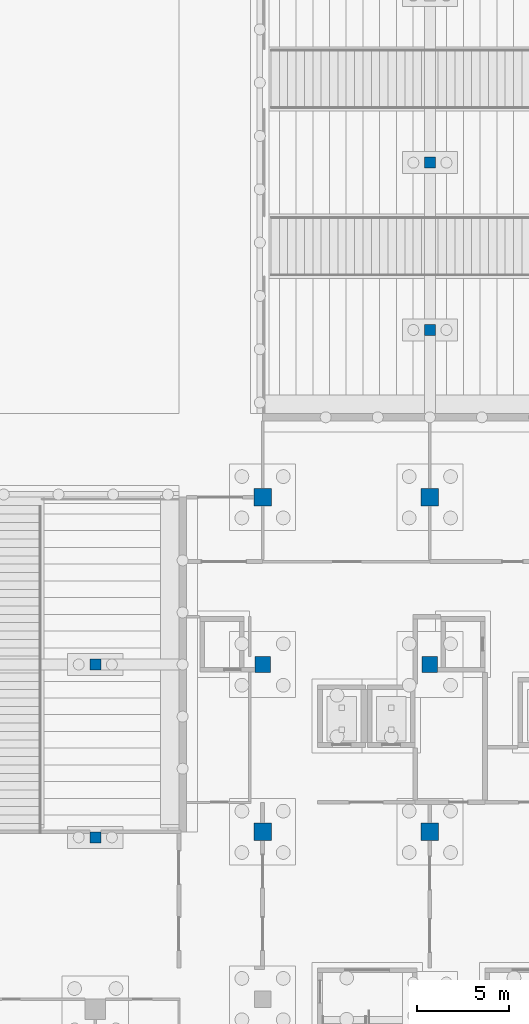
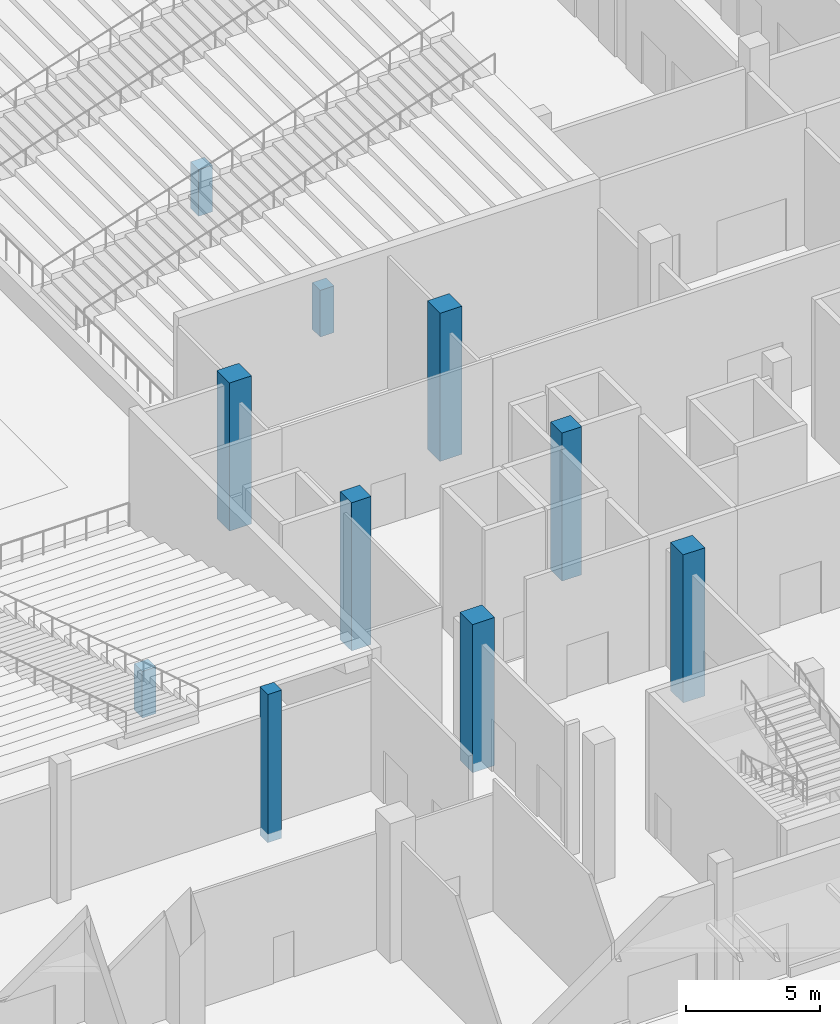
# One storey, part 21 of 129: 10 columns.
"""IFC4 building model written with IfcOpenShell, lengths in metres."""

import ifcopenshell
import ifcopenshell.guid

model = None  # the IFC model being written
_history = None  # IfcOwnerHistory: only IFC2X3 demands one
_inside = {}  # id of a spatial element -> (the spatial element, [elements in it])
_under = {}  # id of a project, library or spatial element -> (it, [spatial elements below it])
_declared = {}  # id of a project -> (the project, [libraries it declares])
_typed = {}  # id of a type object -> (the type object, [elements of that type])
_made_of = {}  # id of a material, layer set ... -> (it, [elements and type objects made of it])


def new_model(schema):
    """Start an empty IFC model of exactly this schema.

    Asked for "IFC4X3", IfcOpenShell would pick the latest addendum, in which some entities
    have other attributes; the version numbers below select the first issue.
    IFC2X3 requires an IfcOwnerHistory on every rooted entity: one is made here for all.
    """
    global model, _history
    if schema == "IFC4X3":
        model = ifcopenshell.file(schema_version=(4, 3, 0, 0))
    else:
        model = ifcopenshell.file(schema=schema)
    _inside.clear()
    _under.clear()
    _declared.clear()
    _typed.clear()
    _made_of.clear()
    _history = None
    if model.schema == "IFC2X3":
        org = make("IfcOrganization", Name="unknown")
        user = make(
            "IfcPersonAndOrganization",
            ThePerson=make("IfcPerson", FamilyName="unknown"),
            TheOrganization=org,
        )
        app = make(
            "IfcApplication",
            ApplicationDeveloper=org,
            Version="unknown",
            ApplicationFullName="unknown",
            ApplicationIdentifier="unknown",
        )
        _history = make(
            "IfcOwnerHistory",
            OwningUser=user,
            OwningApplication=app,
            ChangeAction="ADDED",
            CreationDate=0,
        )
    return model


def make(cls, **values):
    """One entity of the class cls with the attributes given. An attribute that is None is left unset."""
    return model.create_entity(
        cls, **{name: value for name, value in values.items() if value is not None}
    )


def rooted(cls, **values):
    """An entity with a GlobalId (a new one), such as an element, a storey or a relation."""
    return make(cls, GlobalId=ifcopenshell.guid.new(), OwnerHistory=_history, **values)


def si_unit(unit_type, name, prefix=None):
    """IfcSIUnit, for example si_unit("LENGTHUNIT", "METRE", prefix="MILLI")."""
    return make("IfcSIUnit", UnitType=unit_type, Prefix=prefix, Name=name)


def assignment(units):
    """IfcUnitAssignment: the units of a project."""
    return None if units is None else make("IfcUnitAssignment", Units=units)


def point(xyz):
    """IfcCartesianPoint."""
    return None if xyz is None else make("IfcCartesianPoint", Coordinates=xyz)


def direction(xyz):
    """IfcDirection."""
    return None if xyz is None else make("IfcDirection", DirectionRatios=xyz)


def frame(location, z_axis=None, x_axis=None):
    """IfcAxis2Placement3D, a coordinate frame: its origin and axes. An axis left out is left unset."""
    return make(
        "IfcAxis2Placement3D",
        Location=point(location),
        Axis=direction(z_axis),
        RefDirection=direction(x_axis),
    )


def frame_2d(location, x_axis=None):
    """IfcAxis2Placement2D, a coordinate frame in the plane: its origin and x axis."""
    return make(
        "IfcAxis2Placement2D", Location=point(location), RefDirection=direction(x_axis)
    )


def origin():
    """The frame at (0, 0, 0) with its axes left unset."""
    return frame((0.0, 0.0, 0.0))


def origin_2d():
    """The frame at (0, 0) in the plane with its x axis left unset."""
    return frame_2d((0.0, 0.0))


def place(relative_to, where):
    """IfcLocalPlacement: puts the frame where relative to a parent placement (None: the world)."""
    return make(
        "IfcLocalPlacement", PlacementRelTo=relative_to, RelativePlacement=where
    )


def context(
    kind, dimensions, precision=None, world=None, true_north=None, identifier=None
):
    """IfcGeometricRepresentationContext, for example the 3D "Model" context."""
    return make(
        "IfcGeometricRepresentationContext",
        ContextIdentifier=identifier,
        ContextType=kind,
        CoordinateSpaceDimension=dimensions,
        Precision=precision,
        WorldCoordinateSystem=world,
        TrueNorth=true_north,
    )


def subcontext(parent, identifier, kind, view, scale=None):
    """IfcGeometricRepresentationSubContext, for example "Body" below "Model"."""
    return make(
        "IfcGeometricRepresentationSubContext",
        ContextIdentifier=identifier,
        ContextType=kind,
        ParentContext=parent,
        TargetScale=scale,
        TargetView=view,
    )


def project(units=None, contexts=None):
    """IfcProject with its units and contexts."""
    return rooted(
        "IfcProject",
        Name="project",
        RepresentationContexts=contexts,
        UnitsInContext=assignment(units),
    )


def spatial(cls, under=None, at=None, **own):
    """A site, building, storey or space (cls), placed at a placement, below another one or the project."""
    s = rooted(cls, ObjectPlacement=at, **own)
    if under is not None:
        _under.setdefault(under.id(), (under, []))[1].append(s)
    return s


def profile(cls, at=None, kind="AREA", **sizes):
    """A parametric profile (cls). Its sizes go by their IFC names, for example OverallWidth=200.0."""
    return make(cls, ProfileType=kind, Position=at, **sizes)


def rectangle(**sizes):
    """IfcRectangleProfileDef."""
    return profile("IfcRectangleProfileDef", **sizes)


def extrude(swept, where, along, depth):
    """IfcExtrudedAreaSolid: the profile swept, set in the frame where, extruded along a direction by depth."""
    return make(
        "IfcExtrudedAreaSolid",
        SweptArea=swept,
        Position=where,
        ExtrudedDirection=direction(along),
        Depth=depth,
    )


def shape(context_of_items, identifier, shape_type, items):
    """IfcShapeRepresentation: the items that make up one representation, for example the "Body"."""
    return make(
        "IfcShapeRepresentation",
        ContextOfItems=context_of_items,
        RepresentationIdentifier=identifier,
        RepresentationType=shape_type,
        Items=items,
    )


def material(Name=None, Category=None):
    """IfcMaterial."""
    return make("IfcMaterial", Name=Name, Category=Category)


def material_profile(
    of_material, cross_section, Name=None, Category=None, Priority=None
):
    """IfcMaterialProfile: a cross section and its material."""
    return make(
        "IfcMaterialProfile",
        Name=Name,
        Material=of_material,
        Profile=cross_section,
        Priority=Priority,
        Category=Category,
    )


def profile_set(profiles, Name=None, composite=None):
    """IfcMaterialProfileSet."""
    return make(
        "IfcMaterialProfileSet",
        Name=Name,
        MaterialProfiles=profiles,
        CompositeProfile=composite,
    )


def made_of(thing, what):
    """Note that an element or type object is made of a material, layer set ...; save() writes the relation."""
    if what is not None:
        _made_of.setdefault(what.id(), (what, []))[1].append(thing)
    return thing


def type_object(cls, material=None, **own):
    """A type object (cls), such as IfcWallType, which elements share."""
    return made_of(rooted(cls, **own), material)


def element(
    cls,
    number,
    at=None,
    inside=None,
    cuts=None,
    type_object=None,
    material=None,
    context=None,
    identifier="Body",
    shape_type=None,
    held_by="IfcProductDefinitionShape",
    body=None,
    shapes=None,
    **own,
):
    """One element of the class cls, such as IfcWall. Its Tag is "e" and its number.

    at: its placement. inside: the storey or other place that contains it. cuts: it is an
    opening in that element (IfcRelVoidsElement). A single representation is given by context,
    identifier, shape_type and body (its items); several are given by shapes. held_by: the class
    of the entity that holds the representations. save() writes the other relations.
    """
    e = rooted(cls, Tag="e%d" % number, ObjectPlacement=at, **own)
    if body is not None:
        shapes = [shape(context, identifier, shape_type, body)]
    if shapes is not None:
        e.Representation = make(held_by, Representations=shapes)
    if inside is not None:
        _inside.setdefault(inside.id(), (inside, []))[1].append(e)
    if cuts is not None:
        rooted(
            "IfcRelVoidsElement", RelatingBuildingElement=cuts, RelatedOpeningElement=e
        )
    if type_object is not None:
        _typed.setdefault(type_object.id(), (type_object, []))[1].append(e)
    return made_of(e, material)


def aggregate(whole, parts):
    """IfcRelAggregates: a whole, such as a stair, and the parts it consists of."""
    return rooted("IfcRelAggregates", RelatingObject=whole, RelatedObjects=parts)


def save(model, path):
    """Write the relations noted so far, then the file.

    IfcRelAggregates (storeys below a building ...), IfcRelContainedInSpatialStructure (elements
    in a storey), IfcRelDefinesByType, IfcRelAssociatesMaterial and IfcRelDeclares: one each for
    every whole, place, type object, material and project.
    """
    for whole, parts in _under.values():
        aggregate(whole, parts)
    for where, things in _inside.values():
        rooted(
            "IfcRelContainedInSpatialStructure",
            RelatedElements=things,
            RelatingStructure=where,
        )
    for kind, things in _typed.values():
        rooted("IfcRelDefinesByType", RelatedObjects=things, RelatingType=kind)
    for what, things in _made_of.values():
        rooted("IfcRelAssociatesMaterial", RelatedObjects=things, RelatingMaterial=what)
    for by, libraries in _declared.values():
        rooted("IfcRelDeclares", RelatingContext=by, RelatedDefinitions=libraries)
    model.write(path)


model = new_model("IFC4")

# Units and contexts
model_context = context("Model", 3, precision=1e-05, world=origin(), true_north=direction((0.0, 1.0)))
body_context = subcontext(model_context, "Body", "Model", "MODEL_VIEW")
ifc_project = project(units=[si_unit("LENGTHUNIT", "METRE"), si_unit("AREAUNIT", "SQUARE_METRE"), si_unit("VOLUMEUNIT", "CUBIC_METRE"), si_unit("PLANEANGLEUNIT", "RADIAN"), si_unit("MASSUNIT", "GRAM", prefix="KILO")], contexts=[model_context])

# Site, building, storey
site_placement = place(None, origin())
site = spatial("IfcSite", under=ifc_project, at=site_placement, CompositionType="ELEMENT")
building_placement = place(site_placement, origin())
building = spatial("IfcBuilding", under=site, at=building_placement, Name="Shirokan Park Arena", CompositionType="ELEMENT")
storey_placement = place(building_placement, origin())
storey = spatial("IfcBuildingStorey", under=building, at=storey_placement, Name="L00", CompositionType="ELEMENT", Elevation=0.0)

# Columns
ifc_material = material(Name="Concrete C35", Category="concrete")
ifc_material_profile_1 = material_profile(ifc_material, rectangle(XDim=0.60009765625, YDim=0.60009765625, at=origin_2d()), Name="600x600")
ifc_profile_set_1 = profile_set([ifc_material_profile_1], Name="Concrete C35")
column_type_1 = type_object("IfcColumnType", Name="RC column 600x600", PredefinedType="COLUMN", material=ifc_profile_set_1)
column_placement = place(storey_placement, frame((100.10009765625, 17.89990234375, -0.39990234375), z_axis=(0.0, 0.0, 1.0), x_axis=(1.0, 0.0, 0.0)))
element("IfcColumn", 1, at=column_placement, inside=storey, type_object=column_type_1, Name="Column 12C L00", PredefinedType="COLUMN", context=body_context, shape_type="SweptSolid", body=[
    extrude(rectangle(XDim=0.60009765625, YDim=0.60009765625, at=origin_2d()), origin(), (0.0, 0.0, 1.0), 6.77001953125),
])
for number, where, z_axis, x_axis, name in (
    (2, (100.10009765625, 27.300048828125, -0.39990234375), (0.0, 0.0, 1.0), (1.0, 0.0, 0.0), "Column 12D L00"),
    (3, (118.300048828125, 45.5, -0.39990234375), (0.0, 0.0, 1.0), (1.0, 0.0, 0.0), "Column 14F L00"),
    (4, (118.300048828125, 54.60009765625, -0.39990234375), (0.0, 0.0, 1.0), (1.0, 0.0, 0.0), "Column 14G L00"),
):
    element("IfcColumn", number, at=place(storey_placement, frame(where, z_axis=z_axis, x_axis=x_axis)), inside=storey, type_object=column_type_1, Name=name, PredefinedType="COLUMN", context=body_context, shape_type="SweptSolid", body=[
        extrude(rectangle(XDim=0.60009765625, YDim=0.60009765625, at=origin_2d()), origin(), (0.0, 0.0, 1.0), 2.1328125),
    ])
ifc_material_profile_2 = material_profile(ifc_material, rectangle(XDim=0.85009765625, YDim=0.85009765625, at=origin_2d()), Name="850x850")
ifc_profile_set_2 = profile_set([ifc_material_profile_2], Name="Concrete C35")
column_type_2 = type_object("IfcColumnType", Name="RC column 850x850", PredefinedType="COLUMN", material=ifc_profile_set_2)
for number, where, z_axis, x_axis, name in (
    (5, (109.199951171875, 27.300048828125, -0.39990234375), (0.0, 0.0, 1.0), (1.0, 0.0, 0.0), "Column 13D L00"),
    (6, (118.300048828125, 27.300048828125, -0.39990234375), (0.0, 0.0, 1.0), (1.0, 0.0, 0.0), "Column 14D L00"),
):
    element("IfcColumn", number, at=place(storey_placement, frame(where, z_axis=z_axis, x_axis=x_axis)), inside=storey, type_object=column_type_2, Name=name, PredefinedType="COLUMN", context=body_context, shape_type="SweptSolid", body=[
        extrude(rectangle(XDim=0.85009765625, YDim=0.85009765625, at=origin_2d()), origin(), (0.0, 0.0, 1.0), 6.77001953125),
    ])
ifc_material_profile_3 = material_profile(ifc_material, rectangle(XDim=0.949951171875, YDim=0.949951171875, at=origin_2d()), Name="950x950")
ifc_profile_set_3 = profile_set([ifc_material_profile_3], Name="Concrete C35")
column_type_3 = type_object("IfcColumnType", Name="RC column 950x950", PredefinedType="COLUMN", material=ifc_profile_set_3)
for number, where, z_axis, x_axis, name in (
    (7, (109.199951171875, 18.199951171875, -0.39990234375), (0.0, 0.0, 1.0), (1.0, 0.0, 0.0), "Column 13C L00"),
    (8, (109.199951171875, 36.39990234375, -0.39990234375), (0.0, 0.0, 1.0), (1.0, 0.0, 0.0), "Column 13E L00"),
    (9, (118.300048828125, 18.199951171875, -0.39990234375), (0.0, 0.0, 1.0), (1.0, 0.0, 0.0), "Column 14C L00"),
    (10, (118.300048828125, 36.39990234375, -0.39990234375), (0.0, 0.0, 1.0), (1.0, 0.0, 0.0), "Column 14E L00"),
):
    element("IfcColumn", number, at=place(storey_placement, frame(where, z_axis=z_axis, x_axis=x_axis)), inside=storey, type_object=column_type_3, Name=name, PredefinedType="COLUMN", context=body_context, shape_type="SweptSolid", body=[
        extrude(rectangle(XDim=0.949951171875, YDim=0.949951171875, at=origin_2d()), origin(), (0.0, 0.0, 1.0), 6.77001953125),
    ])

save(model, "model.ifc")
